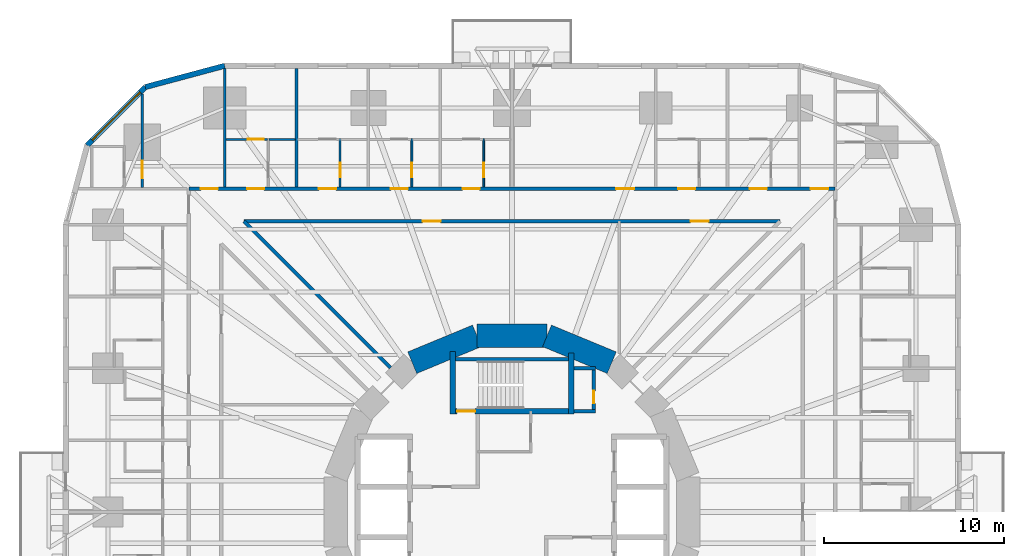
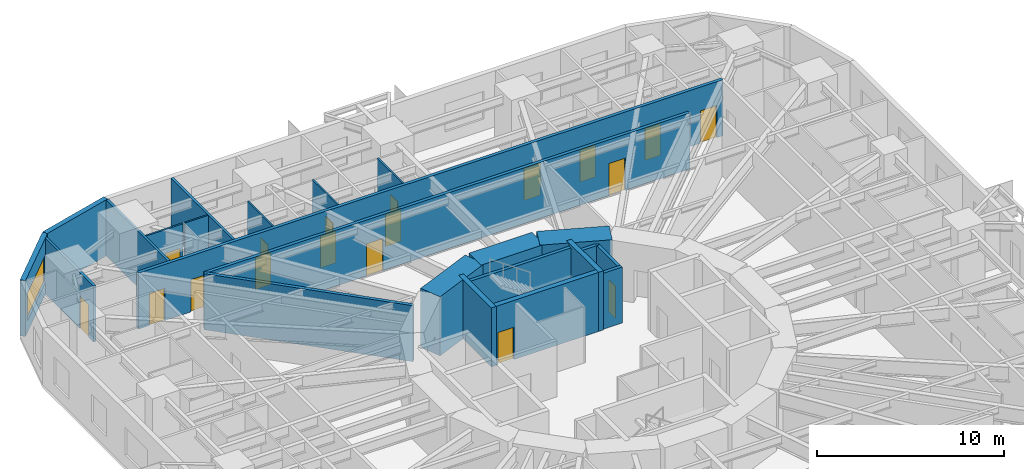
# One storey, part 10 of 14: 23 walls, 18 doors, 1 window, 19 openings.
"""IFC4 building model written with IfcOpenShell, lengths in metres."""

from ifc_helpers import new_model, si_unit, direction, frame, frame_2d, origin, place, context, subcontext, project, spatial, rectangle, extrude, material, layer, layer_set, type_object, element, fill, save


model = new_model("IFC4")

# Units and contexts
model_context = context("Model", 3, precision=1e-05, world=origin(), true_north=direction((0.0, 1.0)))
body_context = subcontext(model_context, "Body", "Model", "MODEL_VIEW")
ifc_project = project(units=[si_unit("LENGTHUNIT", "METRE"), si_unit("AREAUNIT", "SQUARE_METRE"), si_unit("VOLUMEUNIT", "CUBIC_METRE"), si_unit("PLANEANGLEUNIT", "RADIAN"), si_unit("MASSUNIT", "GRAM", prefix="KILO")], contexts=[model_context])

# Site, building, storey
site_placement = place(None, origin())
site = spatial("IfcSite", under=ifc_project, at=site_placement, CompositionType="ELEMENT")
building_placement = place(site_placement, origin())
building = spatial("IfcBuilding", under=site, at=building_placement, Name="Nakasero Lantern House", CompositionType="ELEMENT")
storey_placement = place(building_placement, frame((0.0, 0.0, 27.550048828125)))
storey = spatial("IfcBuildingStorey", under=building, at=storey_placement, Name="L06", CompositionType="ELEMENT", Elevation=27.550048828125)

# Wall, opening, door
ifc_material_1 = material(Name="Concrete C50/60", Category="concrete")
ifc_layer_1 = layer(ifc_material_1, 0.300048828125)
ifc_layer_set_1 = layer_set([ifc_layer_1], Name="Core inner wall 300")
wall_type_1 = type_object("IfcWallType", Name="Core inner wall 300", PredefinedType="SHEAR", material=ifc_layer_set_1)
wall_1_placement = place(storey_placement, frame((-3.449951171875, 5.60009765625, 0.0), z_axis=(0.0, 0.0, 1.0), x_axis=(1.0, 0.0, 0.0)))
wall_1 = element("IfcWall", 1, at=wall_1_placement, inside=storey, type_object=wall_type_1, Name="Core inner wall L06 SN", PredefinedType="SHEAR", context=body_context, shape_type="SweptSolid", body=[
    extrude(rectangle(XDim=6.89990234375, YDim=0.300048828125, at=frame_2d((3.449951171875, 0.0))), origin(), (0.0, 0.0, 1.0), 3.849853515625),
])
opening_1_placement = place(wall_1_placement, frame((0.39990234375, 0.0, 0.0)))
opening_1 = element("IfcOpeningElement", 2, at=opening_1_placement, cuts=wall_1, Name="Opening D05", PredefinedType="OPENING", context=body_context, shape_type="SweptSolid", body=[
    extrude(rectangle(XDim=1.0, YDim=2.10009765625, at=frame_2d((0.5, 1.050048828125))), frame((0.0, 0.169921875, 0.0), z_axis=(0.0, -1.0, 0.0), x_axis=(1.0, 0.0, 0.0)), (0.0, 0.0, 1.0), 0.340087890625),
])
ifc_material_2 = material(Name="Timber C24", Category="wood")
door_type_1 = type_object("IfcDoorType", Name="Core door FD60S 1000", OperationType="SINGLE_SWING_LEFT", PredefinedType="DOOR", material=ifc_material_2)
door_1_placement = place(opening_1_placement, origin())
door_1 = element("IfcDoor", 3, at=door_1_placement, inside=storey, type_object=door_type_1, Name="Door L06 D-ST1", OperationType="SINGLE_SWING_LEFT", OverallHeight=2.10009765625, OverallWidth=1.0, PredefinedType="DOOR", context=body_context, shape_type="SweptSolid", body=[
    extrude(rectangle(XDim=1.0, YDim=2.10009765625, at=frame_2d((0.5, 1.050048828125))), frame((0.0, 0.02490234375, 0.0), z_axis=(0.0, -1.0, 0.0), x_axis=(1.0, 0.0, 0.0)), (0.0, 0.0, 1.0), 0.050048828125),
])
fill(opening_1, door_1)

# Walls
wall_2_placement = place(storey_placement, frame((-3.300048828125, 5.449951171875, 0.0), z_axis=(0.0, 0.0, 1.0), x_axis=(0.0, 1.0, 0.0)))
element("IfcWall", 4, at=wall_2_placement, inside=storey, type_object=wall_type_1, Name="Core inner wall L06 SNW", PredefinedType="SHEAR", context=body_context, shape_type="SweptSolid", body=[
    extrude(rectangle(XDim=3.5, YDim=0.300048828125, at=frame_2d((1.75, 0.0))), origin(), (0.0, 0.0, 1.0), 3.849853515625),
])
wall_3_placement = place(storey_placement, frame((3.300048828125, 5.449951171875, 0.0), z_axis=(0.0, 0.0, 1.0), x_axis=(0.0, 1.0, 0.0)))
element("IfcWall", 5, at=wall_3_placement, inside=storey, type_object=wall_type_1, Name="Core inner wall L06 SNE", PredefinedType="SHEAR", context=body_context, shape_type="SweptSolid", body=[
    extrude(rectangle(XDim=3.400146484375, YDim=0.300048828125, at=frame_2d((1.7001953125, 0.0))), origin(), (0.0, 0.0, 1.0), 3.849853515625),
])
ifc_material_3 = material(Name="Concrete C50/60", Category="concrete")
ifc_layer_2 = layer(ifc_material_3, 1.300048828125)
ifc_layer_set_2 = layer_set([ifc_layer_2], Name="Core wall 1300")
wall_type_2 = type_object("IfcWallType", Name="Core wall 1300", PredefinedType="SHEAR", material=ifc_layer_set_2)
for number, where, z_axis, x_axis, name in (
    (6, (5.5556640625, 8.314697265625, 0.0), (0.0, 0.0, 1.0), (-0.923876507187, 0.382690736062, 0.0), "Core wall L06 facet 3"),
    (7, (1.950927734375, 9.807861328125, 0.0), (0.0, 0.0, 1.0), (-1.0, 0.0, 0.0), "Core wall L06 facet 4"),
    (8, (-1.950927734375, 9.807861328125, 0.0), (0.0, 0.0, 1.0), (-0.923876507187, -0.382690736062, 0.0), "Core wall L06 facet 5"),
):
    element("IfcWall", number, at=place(storey_placement, frame(where, z_axis=z_axis, x_axis=x_axis)), inside=storey, type_object=wall_type_2, Name=name, PredefinedType="SHEAR", context=body_context, shape_type="SweptSolid", body=[
        extrude(rectangle(XDim=3.90185546875, YDim=1.300048828125, at=frame_2d((1.950927734375, 0.0))), origin(), (0.0, 0.0, 1.0), 3.849853515625),
    ])

# Wall, openings, doors
ifc_material_4 = material(Name="Blockwork", Category="masonry")
ifc_layer_3 = layer(ifc_material_4, 0.199951171875)
ifc_layer_set_3 = layer_set([ifc_layer_3], Name="Corridor wall 200")
wall_type_3 = type_object("IfcWallType", Name="Corridor wall 200", PredefinedType="PARTITIONING", material=ifc_layer_set_3)
wall_4_placement = place(storey_placement, frame((18.0, 18.0, 0.0), z_axis=(0.0, 0.0, 1.0), x_axis=(-1.0, 0.0, 0.0)))
wall_4 = element("IfcWall", 9, at=wall_4_placement, inside=storey, type_object=wall_type_3, Name="Corridor wall L06 CW1", PredefinedType="PARTITIONING", context=body_context, shape_type="SweptSolid", body=[
    extrude(rectangle(XDim=36.0, YDim=0.199951171875, at=frame_2d((18.0, 0.0))), origin(), (0.0, 0.0, 1.0), 3.64990234375),
])
opening_2_placement = place(wall_4_placement, frame((0.375, 0.0, 0.0)))
opening_2 = element("IfcOpeningElement", 10, at=opening_2_placement, cuts=wall_4, Name="Opening D07", PredefinedType="OPENING", context=body_context, shape_type="SweptSolid", body=[
    extrude(rectangle(XDim=1.0, YDim=2.10009765625, at=frame_2d((0.5, 1.050048828125))), frame((0.0, 0.119873046875, 0.0), z_axis=(0.0, -1.0, 0.0), x_axis=(1.0, 0.0, 0.0)), (0.0, 0.0, 1.0), 0.239990234375),
])
opening_3_placement = place(wall_4_placement, frame((3.800048828125, 0.0, 0.0)))
opening_3 = element("IfcOpeningElement", 11, at=opening_3_placement, cuts=wall_4, Name="Opening D01", PredefinedType="OPENING", context=body_context, shape_type="SweptSolid", body=[
    extrude(rectangle(XDim=0.949951171875, YDim=2.10009765625, at=frame_2d((0.47509765625, 1.050048828125))), frame((0.0, 0.119873046875, 0.0), z_axis=(0.0, -1.0, 0.0), x_axis=(1.0, 0.0, 0.0)), (0.0, 0.0, 1.0), 0.239990234375),
])
opening_4_placement = place(wall_4_placement, frame((7.800048828125, 0.0, 0.0)))
opening_4 = element("IfcOpeningElement", 12, at=opening_4_placement, cuts=wall_4, Name="Opening D01", PredefinedType="OPENING", context=body_context, shape_type="SweptSolid", body=[
    extrude(rectangle(XDim=0.949951171875, YDim=2.10009765625, at=frame_2d((0.47509765625, 1.050048828125))), frame((0.0, 0.119873046875, 0.0), z_axis=(0.0, -1.0, 0.0), x_axis=(1.0, 0.0, 0.0)), (0.0, 0.0, 1.0), 0.239990234375),
])
opening_5_placement = place(wall_4_placement, frame((19.800048828125, 0.0, 0.0)))
opening_5 = element("IfcOpeningElement", 13, at=opening_5_placement, cuts=wall_4, Name="Opening D01", PredefinedType="OPENING", context=body_context, shape_type="SweptSolid", body=[
    extrude(rectangle(XDim=0.949951171875, YDim=2.10009765625, at=frame_2d((0.47509765625, 1.050048828125))), frame((0.0, 0.119873046875, 0.0), z_axis=(0.0, -1.0, 0.0), x_axis=(1.0, 0.0, 0.0)), (0.0, 0.0, 1.0), 0.239990234375),
])
opening_6_placement = place(wall_4_placement, frame((23.800048828125, 0.0, 0.0)))
opening_6 = element("IfcOpeningElement", 14, at=opening_6_placement, cuts=wall_4, Name="Opening D01", PredefinedType="OPENING", context=body_context, shape_type="SweptSolid", body=[
    extrude(rectangle(XDim=0.949951171875, YDim=2.10009765625, at=frame_2d((0.47509765625, 1.050048828125))), frame((0.0, 0.119873046875, 0.0), z_axis=(0.0, -1.0, 0.0), x_axis=(1.0, 0.0, 0.0)), (0.0, 0.0, 1.0), 0.239990234375),
])
opening_7_placement = place(wall_4_placement, frame((27.800048828125, 0.0, 0.0)))
opening_7 = element("IfcOpeningElement", 15, at=opening_7_placement, cuts=wall_4, Name="Opening D01", PredefinedType="OPENING", context=body_context, shape_type="SweptSolid", body=[
    extrude(rectangle(XDim=0.949951171875, YDim=2.10009765625, at=frame_2d((0.47509765625, 1.050048828125))), frame((0.0, 0.119873046875, 0.0), z_axis=(0.0, -1.0, 0.0), x_axis=(1.0, 0.0, 0.0)), (0.0, 0.0, 1.0), 0.239990234375),
])
opening_8_placement = place(wall_4_placement, frame((31.800048828125, 0.0, 0.0)))
opening_8 = element("IfcOpeningElement", 16, at=opening_8_placement, cuts=wall_4, Name="Opening D01", PredefinedType="OPENING", context=body_context, shape_type="SweptSolid", body=[
    extrude(rectangle(XDim=0.949951171875, YDim=2.10009765625, at=frame_2d((0.47509765625, 1.050048828125))), frame((0.0, 0.119873046875, 0.0), z_axis=(0.0, -1.0, 0.0), x_axis=(1.0, 0.0, 0.0)), (0.0, 0.0, 1.0), 0.239990234375),
])
opening_9_placement = place(wall_4_placement, frame((34.375, 0.0, 0.0)))
opening_9 = element("IfcOpeningElement", 17, at=opening_9_placement, cuts=wall_4, Name="Opening D01", PredefinedType="OPENING", context=body_context, shape_type="SweptSolid", body=[
    extrude(rectangle(XDim=0.949951171875, YDim=2.10009765625, at=frame_2d((0.47509765625, 1.050048828125))), frame((0.0, 0.119873046875, 0.0), z_axis=(0.0, -1.0, 0.0), x_axis=(1.0, 0.0, 0.0)), (0.0, 0.0, 1.0), 0.239990234375),
])
opening_10_placement = place(wall_4_placement, frame((11.199951171875, 0.0, 0.0)))
opening_10 = element("IfcOpeningElement", 18, at=opening_10_placement, cuts=wall_4, Name="Opening D03", PredefinedType="OPENING", context=body_context, shape_type="SweptSolid", body=[
    extrude(rectangle(XDim=1.0, YDim=2.10009765625, at=frame_2d((0.5, 1.050048828125))), frame((0.0, 0.119873046875, 0.0), z_axis=(0.0, -1.0, 0.0), x_axis=(1.0, 0.0, 0.0)), (0.0, 0.0, 1.0), 0.239990234375),
])
ifc_material_5 = material(Name="Timber C24", Category="wood")
door_type_2 = type_object("IfcDoorType", Name="Bedroom door FD30S 950", OperationType="SINGLE_SWING_LEFT", PredefinedType="DOOR", material=ifc_material_5)
door_2_placement = place(opening_3_placement, origin())
door_2 = element("IfcDoor", 19, at=door_2_placement, inside=storey, type_object=door_type_2, Name="Door L06 D1-01", OperationType="SINGLE_SWING_LEFT", OverallHeight=2.10009765625, OverallWidth=0.949951171875, PredefinedType="DOOR", context=body_context, shape_type="SweptSolid", body=[
    extrude(rectangle(XDim=0.949951171875, YDim=2.10009765625, at=frame_2d((0.47509765625, 1.050048828125))), frame((0.0, 0.02490234375, 0.0), z_axis=(0.0, -1.0, 0.0), x_axis=(1.0, 0.0, 0.0)), (0.0, 0.0, 1.0), 0.050048828125),
])
fill(opening_3, door_2)
door_3_placement = place(opening_4_placement, origin())
door_3 = element("IfcDoor", 20, at=door_3_placement, inside=storey, type_object=door_type_2, Name="Door L06 D1-02", OperationType="SINGLE_SWING_LEFT", OverallHeight=2.10009765625, OverallWidth=0.949951171875, PredefinedType="DOOR", context=body_context, shape_type="SweptSolid", body=[
    extrude(rectangle(XDim=0.949951171875, YDim=2.10009765625, at=frame_2d((0.47509765625, 1.050048828125))), frame((0.0, 0.02490234375, 0.0), z_axis=(0.0, -1.0, 0.0), x_axis=(1.0, 0.0, 0.0)), (0.0, 0.0, 1.0), 0.050048828125),
])
fill(opening_4, door_3)
door_4_placement = place(opening_5_placement, origin())
door_4 = element("IfcDoor", 21, at=door_4_placement, inside=storey, type_object=door_type_2, Name="Door L06 D1-05", OperationType="SINGLE_SWING_RIGHT", OverallHeight=2.10009765625, OverallWidth=0.949951171875, PredefinedType="DOOR", context=body_context, shape_type="SweptSolid", body=[
    extrude(rectangle(XDim=0.949951171875, YDim=2.10009765625, at=frame_2d((0.47509765625, 1.050048828125))), frame((0.0, 0.02490234375, 0.0), z_axis=(0.0, -1.0, 0.0), x_axis=(1.0, 0.0, 0.0)), (0.0, 0.0, 1.0), 0.050048828125),
])
fill(opening_5, door_4)
door_5_placement = place(opening_6_placement, origin())
door_5 = element("IfcDoor", 22, at=door_5_placement, inside=storey, type_object=door_type_2, Name="Door L06 D1-06", OperationType="SINGLE_SWING_RIGHT", OverallHeight=2.10009765625, OverallWidth=0.949951171875, PredefinedType="DOOR", context=body_context, shape_type="SweptSolid", body=[
    extrude(rectangle(XDim=0.949951171875, YDim=2.10009765625, at=frame_2d((0.47509765625, 1.050048828125))), frame((0.0, 0.02490234375, 0.0), z_axis=(0.0, -1.0, 0.0), x_axis=(1.0, 0.0, 0.0)), (0.0, 0.0, 1.0), 0.050048828125),
])
fill(opening_6, door_5)
door_6_placement = place(opening_7_placement, origin())
door_6 = element("IfcDoor", 23, at=door_6_placement, inside=storey, type_object=door_type_2, Name="Door L06 D1-07", OperationType="SINGLE_SWING_RIGHT", OverallHeight=2.10009765625, OverallWidth=0.949951171875, PredefinedType="DOOR", context=body_context, shape_type="SweptSolid", body=[
    extrude(rectangle(XDim=0.949951171875, YDim=2.10009765625, at=frame_2d((0.47509765625, 1.050048828125))), frame((0.0, 0.02490234375, 0.0), z_axis=(0.0, -1.0, 0.0), x_axis=(1.0, 0.0, 0.0)), (0.0, 0.0, 1.0), 0.050048828125),
])
fill(opening_7, door_6)
door_7_placement = place(opening_8_placement, origin())
door_7 = element("IfcDoor", 24, at=door_7_placement, inside=storey, type_object=door_type_2, Name="Door L06 D1-08", OperationType="SINGLE_SWING_RIGHT", OverallHeight=2.10009765625, OverallWidth=0.949951171875, PredefinedType="DOOR", context=body_context, shape_type="SweptSolid", body=[
    extrude(rectangle(XDim=0.949951171875, YDim=2.10009765625, at=frame_2d((0.47509765625, 1.050048828125))), frame((0.0, 0.02490234375, 0.0), z_axis=(0.0, -1.0, 0.0), x_axis=(1.0, 0.0, 0.0)), (0.0, 0.0, 1.0), 0.050048828125),
])
fill(opening_8, door_7)
door_8_placement = place(opening_9_placement, origin())
door_8 = element("IfcDoor", 25, at=door_8_placement, inside=storey, type_object=door_type_2, Name="Door L06 D1-09", OperationType="SINGLE_SWING_RIGHT", OverallHeight=2.10009765625, OverallWidth=0.949951171875, PredefinedType="DOOR", context=body_context, shape_type="SweptSolid", body=[
    extrude(rectangle(XDim=0.949951171875, YDim=2.10009765625, at=frame_2d((0.47509765625, 1.050048828125))), frame((0.0, 0.02490234375, 0.0), z_axis=(0.0, -1.0, 0.0), x_axis=(1.0, 0.0, 0.0)), (0.0, 0.0, 1.0), 0.050048828125),
])
fill(opening_9, door_8)
ifc_material_6 = material(Name="Timber C24", Category="wood")
door_type_3 = type_object("IfcDoorType", Name="Lounge door FD30S 1000", OperationType="SINGLE_SWING_LEFT", PredefinedType="DOOR", material=ifc_material_6)
door_9_placement = place(opening_10_placement, origin())
door_9 = element("IfcDoor", 26, at=door_9_placement, inside=storey, type_object=door_type_3, Name="Door L06 DK1", OperationType="SINGLE_SWING_LEFT", OverallHeight=2.10009765625, OverallWidth=1.0, PredefinedType="DOOR", context=body_context, shape_type="SweptSolid", body=[
    extrude(rectangle(XDim=1.0, YDim=2.10009765625, at=frame_2d((0.5, 1.050048828125))), frame((0.0, 0.02490234375, 0.0), z_axis=(0.0, -1.0, 0.0), x_axis=(1.0, 0.0, 0.0)), (0.0, 0.0, 1.0), 0.050048828125),
])
fill(opening_10, door_9)
ifc_material_7 = material(Name="Timber C24", Category="wood")
door_type_4 = type_object("IfcDoorType", Name="Room door FD30S 1000", OperationType="SINGLE_SWING_LEFT", PredefinedType="DOOR", material=ifc_material_7)
door_10_placement = place(opening_2_placement, origin())
door_10 = element("IfcDoor", 27, at=door_10_placement, inside=storey, type_object=door_type_4, Name="Door L06 D1-00", OperationType="SINGLE_SWING_LEFT", OverallHeight=2.10009765625, OverallWidth=1.0, PredefinedType="DOOR", context=body_context, shape_type="SweptSolid", body=[
    extrude(rectangle(XDim=1.0, YDim=2.10009765625, at=frame_2d((0.5, 1.050048828125))), frame((0.0, 0.02490234375, 0.0), z_axis=(0.0, -1.0, 0.0), x_axis=(1.0, 0.0, 0.0)), (0.0, 0.0, 1.0), 0.050048828125),
])
fill(opening_2, door_10)

wall_5_placement = place(storey_placement, frame((14.92724609375, 16.199951171875, 0.0), z_axis=(0.0, 0.0, 1.0), x_axis=(-1.0, 0.0, 0.0)))
wall_5 = element("IfcWall", 28, at=wall_5_placement, inside=storey, type_object=wall_type_3, Name="Corridor wall L06 IW1-0", PredefinedType="PARTITIONING", context=body_context, shape_type="SweptSolid", body=[
    extrude(rectangle(XDim=29.8544921875, YDim=0.199951171875, at=frame_2d((14.92724609375, 0.0))), origin(), (0.0, 0.0, 1.0), 3.64990234375),
])
opening_11_placement = place(wall_5_placement, frame((3.978271484375, 0.0, 0.0)))
opening_11 = element("IfcOpeningElement", 29, at=opening_11_placement, cuts=wall_5, Name="Opening D07", PredefinedType="OPENING", context=body_context, shape_type="SweptSolid", body=[
    extrude(rectangle(XDim=1.0, YDim=2.10009765625, at=frame_2d((0.5, 1.050048828125))), frame((0.0, 0.119873046875, 0.0), z_axis=(0.0, -1.0, 0.0), x_axis=(1.0, 0.0, 0.0)), (0.0, 0.0, 1.0), 0.239990234375),
])
opening_12_placement = place(wall_5_placement, frame((18.9052734375, 0.0, 0.0)))
opening_12 = element("IfcOpeningElement", 30, at=opening_12_placement, cuts=wall_5, Name="Opening D07", PredefinedType="OPENING", context=body_context, shape_type="SweptSolid", body=[
    extrude(rectangle(XDim=1.0, YDim=2.10009765625, at=frame_2d((0.5, 1.050048828125))), frame((0.0, 0.119873046875, 0.0), z_axis=(0.0, -1.0, 0.0), x_axis=(1.0, 0.0, 0.0)), (0.0, 0.0, 1.0), 0.239990234375),
])
door_11_placement = place(opening_11_placement, origin())
door_11 = element("IfcDoor", 31, at=door_11_placement, inside=storey, type_object=door_type_4, Name="Door L06 DI2", OperationType="SINGLE_SWING_LEFT", OverallHeight=2.10009765625, OverallWidth=1.0, PredefinedType="DOOR", context=body_context, shape_type="SweptSolid", body=[
    extrude(rectangle(XDim=1.0, YDim=2.10009765625, at=frame_2d((0.5, 1.050048828125))), frame((0.0, 0.02490234375, 0.0), z_axis=(0.0, -1.0, 0.0), x_axis=(1.0, 0.0, 0.0)), (0.0, 0.0, 1.0), 0.050048828125),
])
fill(opening_11, door_11)
door_12_placement = place(opening_12_placement, origin())
door_12 = element("IfcDoor", 32, at=door_12_placement, inside=storey, type_object=door_type_4, Name="Door L06 DI2S", OperationType="SINGLE_SWING_RIGHT", OverallHeight=2.10009765625, OverallWidth=1.0, PredefinedType="DOOR", context=body_context, shape_type="SweptSolid", body=[
    extrude(rectangle(XDim=1.0, YDim=2.10009765625, at=frame_2d((0.5, 1.050048828125))), frame((0.0, 0.02490234375, 0.0), z_axis=(0.0, -1.0, 0.0), x_axis=(1.0, 0.0, 0.0)), (0.0, 0.0, 1.0), 0.050048828125),
])
fill(opening_12, door_12)

# Wall
wall_6_placement = place(storey_placement, frame((-6.758544921875, 8.03125, 0.0), z_axis=(0.0, 0.0, 1.0), x_axis=(-0.707106781187, 0.707106781187, 0.0)))
element("IfcWall", 33, at=wall_6_placement, inside=storey, type_object=wall_type_3, Name="Corridor wall L06 PS06b", PredefinedType="PARTITIONING", context=body_context, shape_type="SweptSolid", body=[
    extrude(rectangle(XDim=11.55224609375, YDim=0.199951171875, at=frame_2d((5.776123046875, 0.0))), origin(), (0.0, 0.0, 1.0), 3.64990234375),
])

# Wall, opening, door
ifc_material_8 = material(Name="Blockwork", Category="masonry")
ifc_layer_4 = layer(ifc_material_8, 0.10009765625)
ifc_layer_set_4 = layer_set([ifc_layer_4], Name="En-suite wall 100")
wall_type_4 = type_object("IfcWallType", Name="En-suite wall 100", PredefinedType="PARTITIONING", material=ifc_layer_set_4)
wall_7_placement = place(storey_placement, frame((-1.574951171875, 18.10009765625, 0.0), z_axis=(0.0, 0.0, 1.0), x_axis=(0.0, 1.0, 0.0)))
wall_7 = element("IfcWall", 34, at=wall_7_placement, inside=storey, type_object=wall_type_4, Name="En-suite wall L06 ES1-05", PredefinedType="PARTITIONING", context=body_context, shape_type="SweptSolid", body=[
    extrude(rectangle(XDim=2.699951171875, YDim=0.10009765625, at=frame_2d((1.35009765625, 0.0))), origin(), (0.0, 0.0, 1.0), 3.64990234375),
])
opening_13_placement = place(wall_7_placement, frame((0.550048828125, 0.0, 0.0)))
opening_13 = element("IfcOpeningElement", 35, at=opening_13_placement, cuts=wall_7, Name="Opening D02", PredefinedType="OPENING", context=body_context, shape_type="SweptSolid", body=[
    extrude(rectangle(XDim=0.800048828125, YDim=2.10009765625, at=frame_2d((0.39990234375, 1.050048828125))), frame((0.0, 0.070068359375, 0.0), z_axis=(0.0, -1.0, 0.0), x_axis=(1.0, 0.0, 0.0)), (0.0, 0.0, 1.0), 0.14013671875),
])
ifc_material_9 = material(Name="Timber C24", Category="wood")
door_type_5 = type_object("IfcDoorType", Name="En-suite door 800", OperationType="SINGLE_SWING_RIGHT", PredefinedType="DOOR", material=ifc_material_9)
door_13_placement = place(opening_13_placement, origin())
door_13 = element("IfcDoor", 36, at=door_13_placement, inside=storey, type_object=door_type_5, Name="Door L06 DE1-05", OperationType="SINGLE_SWING_LEFT", OverallHeight=2.10009765625, OverallWidth=0.800048828125, PredefinedType="DOOR", context=body_context, shape_type="SweptSolid", body=[
    extrude(rectangle(XDim=0.800048828125, YDim=2.10009765625, at=frame_2d((0.39990234375, 1.050048828125))), frame((0.0, 0.02490234375, 0.0), z_axis=(0.0, -1.0, 0.0), x_axis=(1.0, 0.0, 0.0)), (0.0, 0.0, 1.0), 0.050048828125),
])
fill(opening_13, door_13)

wall_8_placement = place(storey_placement, frame((-5.574951171875, 18.10009765625, 0.0), z_axis=(0.0, 0.0, 1.0), x_axis=(0.0, 1.0, 0.0)))
wall_8 = element("IfcWall", 37, at=wall_8_placement, inside=storey, type_object=wall_type_4, Name="En-suite wall L06 ES1-06", PredefinedType="PARTITIONING", context=body_context, shape_type="SweptSolid", body=[
    extrude(rectangle(XDim=2.699951171875, YDim=0.10009765625, at=frame_2d((1.35009765625, 0.0))), origin(), (0.0, 0.0, 1.0), 3.64990234375),
])
opening_14_placement = place(wall_8_placement, frame((0.550048828125, 0.0, 0.0)))
opening_14 = element("IfcOpeningElement", 38, at=opening_14_placement, cuts=wall_8, Name="Opening D02", PredefinedType="OPENING", context=body_context, shape_type="SweptSolid", body=[
    extrude(rectangle(XDim=0.800048828125, YDim=2.10009765625, at=frame_2d((0.39990234375, 1.050048828125))), frame((0.0, 0.070068359375, 0.0), z_axis=(0.0, -1.0, 0.0), x_axis=(1.0, 0.0, 0.0)), (0.0, 0.0, 1.0), 0.14013671875),
])
door_14_placement = place(opening_14_placement, origin())
door_14 = element("IfcDoor", 39, at=door_14_placement, inside=storey, type_object=door_type_5, Name="Door L06 DE1-06", OperationType="SINGLE_SWING_LEFT", OverallHeight=2.10009765625, OverallWidth=0.800048828125, PredefinedType="DOOR", context=body_context, shape_type="SweptSolid", body=[
    extrude(rectangle(XDim=0.800048828125, YDim=2.10009765625, at=frame_2d((0.39990234375, 1.050048828125))), frame((0.0, 0.02490234375, 0.0), z_axis=(0.0, -1.0, 0.0), x_axis=(1.0, 0.0, 0.0)), (0.0, 0.0, 1.0), 0.050048828125),
])
fill(opening_14, door_14)

wall_9_placement = place(storey_placement, frame((-9.574951171875, 18.10009765625, 0.0), z_axis=(0.0, 0.0, 1.0), x_axis=(0.0, 1.0, 0.0)))
wall_9 = element("IfcWall", 40, at=wall_9_placement, inside=storey, type_object=wall_type_4, Name="En-suite wall L06 ES1-07", PredefinedType="PARTITIONING", context=body_context, shape_type="SweptSolid", body=[
    extrude(rectangle(XDim=2.699951171875, YDim=0.10009765625, at=frame_2d((1.35009765625, 0.0))), origin(), (0.0, 0.0, 1.0), 3.64990234375),
])
opening_15_placement = place(wall_9_placement, frame((0.550048828125, 0.0, 0.0)))
opening_15 = element("IfcOpeningElement", 41, at=opening_15_placement, cuts=wall_9, Name="Opening D02", PredefinedType="OPENING", context=body_context, shape_type="SweptSolid", body=[
    extrude(rectangle(XDim=0.800048828125, YDim=2.10009765625, at=frame_2d((0.39990234375, 1.050048828125))), frame((0.0, 0.070068359375, 0.0), z_axis=(0.0, -1.0, 0.0), x_axis=(1.0, 0.0, 0.0)), (0.0, 0.0, 1.0), 0.14013671875),
])
door_15_placement = place(opening_15_placement, origin())
door_15 = element("IfcDoor", 42, at=door_15_placement, inside=storey, type_object=door_type_5, Name="Door L06 DE1-07", OperationType="SINGLE_SWING_LEFT", OverallHeight=2.10009765625, OverallWidth=0.800048828125, PredefinedType="DOOR", context=body_context, shape_type="SweptSolid", body=[
    extrude(rectangle(XDim=0.800048828125, YDim=2.10009765625, at=frame_2d((0.39990234375, 1.050048828125))), frame((0.0, 0.02490234375, 0.0), z_axis=(0.0, -1.0, 0.0), x_axis=(1.0, 0.0, 0.0)), (0.0, 0.0, 1.0), 0.050048828125),
])
fill(opening_15, door_15)

# Wall
wall_10_placement = place(storey_placement, frame((-12.074951171875, 20.75, 0.0), z_axis=(0.0, 0.0, 1.0), x_axis=(-1.0, 0.0, 0.0)))
element("IfcWall", 43, at=wall_10_placement, inside=storey, type_object=wall_type_4, Name="En-suite wall L06 EE1-08", PredefinedType="PARTITIONING", context=body_context, shape_type="SweptSolid", body=[
    extrude(rectangle(XDim=1.449951171875, YDim=0.10009765625, at=frame_2d((0.72509765625, 0.0))), origin(), (0.0, 0.0, 1.0), 3.64990234375),
])

# Wall, opening, door
wall_11_placement = place(storey_placement, frame((-13.625, 20.75, 0.0), z_axis=(0.0, 0.0, 1.0), x_axis=(-1.0, 0.0, 0.0)))
wall_11 = element("IfcWall", 44, at=wall_11_placement, inside=storey, type_object=wall_type_4, Name="En-suite wall L06 EL1-08", PredefinedType="PARTITIONING", context=body_context, shape_type="SweptSolid", body=[
    extrude(rectangle(XDim=2.300048828125, YDim=0.10009765625, at=frame_2d((1.14990234375, 0.0))), origin(), (0.0, 0.0, 1.0), 3.64990234375),
])
opening_16_placement = place(wall_11_placement, frame((0.199951171875, 0.0, 0.0)))
opening_16 = element("IfcOpeningElement", 45, at=opening_16_placement, cuts=wall_11, Name="Opening D17", PredefinedType="OPENING", context=body_context, shape_type="SweptSolid", body=[
    extrude(rectangle(XDim=0.89990234375, YDim=2.10009765625, at=frame_2d((0.449951171875, 1.050048828125))), frame((0.0, 0.070068359375, 0.0), z_axis=(0.0, -1.0, 0.0), x_axis=(1.0, 0.0, 0.0)), (0.0, 0.0, 1.0), 0.14013671875),
])
ifc_material_10 = material(Name="Timber C24", Category="wood")
door_type_6 = type_object("IfcDoorType", Name="Bedroom door FD30S 900", OperationType="SINGLE_SWING_LEFT", PredefinedType="DOOR", material=ifc_material_10)
door_16_placement = place(opening_16_placement, origin())
door_16 = element("IfcDoor", 46, at=door_16_placement, inside=storey, type_object=door_type_6, Name="Door L06 DL1-08", OperationType="SINGLE_SWING_LEFT", OverallHeight=2.10009765625, OverallWidth=0.89990234375, PredefinedType="DOOR", context=body_context, shape_type="SweptSolid", body=[
    extrude(rectangle(XDim=0.89990234375, YDim=2.10009765625, at=frame_2d((0.449951171875, 1.050048828125))), frame((0.0, 0.02490234375, 0.0), z_axis=(0.0, -1.0, 0.0), x_axis=(1.0, 0.0, 0.0)), (0.0, 0.0, 1.0), 0.050048828125),
])
fill(opening_16, door_16)

# Wall
ifc_material_11 = material(Name="Aluminium rainscreen on blockwork", Category="masonry")
ifc_layer_5 = layer(ifc_material_11, 0.300048828125)
ifc_layer_set_5 = layer_set([ifc_layer_5], Name="Facade wall 300")
wall_type_5 = type_object("IfcWallType", Name="Facade wall 300", PredefinedType="SOLIDWALL", material=ifc_layer_set_5)
wall_12_placement = place(storey_placement, frame((-16.0, 24.85009765625, 0.0), z_axis=(0.0, 0.0, 1.0), x_axis=(-0.965920218567, -0.258839972501, 0.0)))
element("IfcWall", 47, at=wall_12_placement, inside=storey, type_object=wall_type_5, Name="Facade wall L06 FW1C1", PredefinedType="SOLIDWALL", context=body_context, shape_type="SweptSolid", body=[
    extrude(rectangle(XDim=4.5810546875, YDim=0.300048828125, at=frame_2d((2.29052734375, 0.0))), origin(), (0.0, 0.0, 1.0), 3.64990234375),
])

# Wall, opening, window
wall_13_placement = place(storey_placement, frame((-20.425048828125, 23.664306640625, 0.0), z_axis=(0.0, 0.0, 1.0), x_axis=(-0.707106781187, -0.707106781187, 0.0)))
wall_13 = element("IfcWall", 48, at=wall_13_placement, inside=storey, type_object=wall_type_5, Name="Facade wall L06 FW1C2", PredefinedType="SOLIDWALL", context=body_context, shape_type="SweptSolid", body=[
    extrude(rectangle(XDim=4.5810546875, YDim=0.300048828125, at=frame_2d((2.29052734375, 0.0))), origin(), (0.0, 0.0, 1.0), 3.64990234375),
])
opening_17_placement = place(wall_13_placement, frame((0.39990234375, 0.0, 0.75)))
opening_17 = element("IfcOpeningElement", 49, at=opening_17_placement, cuts=wall_13, Name="Opening W237", PredefinedType="OPENING", context=body_context, shape_type="SweptSolid", body=[
    extrude(rectangle(XDim=3.781005859375, YDim=1.800048828125, at=frame_2d((1.890625, 0.89990234375))), frame((0.0, 0.169921875, 0.0), z_axis=(0.0, -1.0, 0.0), x_axis=(1.0, 0.0, 0.0)), (0.0, 0.0, 1.0), 0.340087890625),
])
ifc_material_12 = material(Name="Aluminium 6063-T6 and glass", Category="aluminium")
window_type = type_object("IfcWindowType", Name="Corner window 3781x1800", PartitioningType="SINGLE_PANEL", PredefinedType="WINDOW", material=ifc_material_12)
window_placement = place(opening_17_placement, origin())
window = element("IfcWindow", 50, at=window_placement, inside=storey, type_object=window_type, Name="Window L06 WC1", OverallHeight=1.800048828125, OverallWidth=3.781005859375, PartitioningType="SINGLE_PANEL", PredefinedType="WINDOW", context=body_context, shape_type="SweptSolid", body=[
    extrude(rectangle(XDim=3.781005859375, YDim=1.800048828125, at=frame_2d((1.890625, 0.89990234375))), frame((0.0, 0.030029296875, 0.0), z_axis=(0.0, -1.0, 0.0), x_axis=(1.0, 0.0, 0.0)), (0.0, 0.0, 1.0), 0.06005859375),
])
fill(opening_17, window)

# Wall, opening, door
ifc_material_13 = material(Name="Blockwork", Category="masonry")
ifc_layer_6 = layer(ifc_material_13, 0.199951171875)
ifc_layer_set_6 = layer_set([ifc_layer_6], Name="Fire lobby wall 200")
wall_type_6 = type_object("IfcWallType", Name="Fire lobby wall 200", PredefinedType="PARTITIONING", material=ifc_layer_set_6)
wall_14_placement = place(storey_placement, frame((4.550048828125, 5.60009765625, 0.0), z_axis=(0.0, 0.0, 1.0), x_axis=(0.0, 1.0, 0.0)))
wall_14 = element("IfcWall", 51, at=wall_14_placement, inside=storey, type_object=wall_type_6, Name="Fire lobby wall L06 W-RS1E", PredefinedType="PARTITIONING", context=body_context, shape_type="SweptSolid", body=[
    extrude(rectangle(XDim=2.39990234375, YDim=0.199951171875, at=frame_2d((1.199951171875, 0.0))), origin(), (0.0, 0.0, 1.0), 3.64990234375),
])
opening_18_placement = place(wall_14_placement, frame((0.449951171875, 0.0, 0.0)))
opening_18 = element("IfcOpeningElement", 52, at=opening_18_placement, cuts=wall_14, Name="Opening D06", PredefinedType="OPENING", context=body_context, shape_type="SweptSolid", body=[
    extrude(rectangle(XDim=0.699951171875, YDim=2.10009765625, at=frame_2d((0.35009765625, 1.050048828125))), frame((0.0, 0.119873046875, 0.0), z_axis=(0.0, -1.0, 0.0), x_axis=(1.0, 0.0, 0.0)), (0.0, 0.0, 1.0), 0.239990234375),
])
ifc_material_14 = material(Name="Steel S355", Category="steel")
door_type_7 = type_object("IfcDoorType", Name="Riser door FD60 700", OperationType="SINGLE_SWING_LEFT", PredefinedType="DOOR", material=ifc_material_14)
door_17_placement = place(opening_18_placement, origin())
door_17 = element("IfcDoor", 53, at=door_17_placement, inside=storey, type_object=door_type_7, Name="Door L06 D-RS1", OperationType="SINGLE_SWING_LEFT", OverallHeight=2.10009765625, OverallWidth=0.699951171875, PredefinedType="DOOR", context=body_context, shape_type="SweptSolid", body=[
    extrude(rectangle(XDim=0.699951171875, YDim=2.10009765625, at=frame_2d((0.35009765625, 1.050048828125))), frame((0.0, 0.02490234375, 0.0), z_axis=(0.0, -1.0, 0.0), x_axis=(1.0, 0.0, 0.0)), (0.0, 0.0, 1.0), 0.050048828125),
])
fill(opening_18, door_17)

# Walls
for number, where, z_axis, x_axis, name in (
    (54, (3.449951171875, 8.0, 0.0), (0.0, 0.0, 1.0), (1.0, 0.0, 0.0), "Fire lobby wall L06 W-RS1N"),
    (55, (3.449951171875, 5.60009765625, 0.0), (0.0, 0.0, 1.0), (1.0, 0.0, 0.0), "Fire lobby wall L06 W-RS1S"),
):
    element("IfcWall", number, at=place(storey_placement, frame(where, z_axis=z_axis, x_axis=x_axis)), inside=storey, type_object=wall_type_6, Name=name, PredefinedType="PARTITIONING", context=body_context, shape_type="SweptSolid", body=[
        extrude(rectangle(XDim=1.199951171875, YDim=0.199951171875, at=frame_2d((0.60009765625, 0.0))), origin(), (0.0, 0.0, 1.0), 3.64990234375),
    ])
wall_15_placement = place(storey_placement, frame((-3.300048828125, 8.5, 0.0), z_axis=(0.0, 0.0, 1.0), x_axis=(1.0, 0.0, 0.0)))
element("IfcWall", 56, at=wall_15_placement, inside=storey, type_object=wall_type_6, Name="Fire lobby wall L06 W-STN", PredefinedType="PARTITIONING", context=body_context, shape_type="SweptSolid", body=[
    extrude(rectangle(XDim=6.60009765625, YDim=0.199951171875, at=frame_2d((3.300048828125, 0.0))), origin(), (0.0, 0.0, 1.0), 3.64990234375),
])
ifc_material_15 = material(Name="Blockwork", Category="masonry")
ifc_layer_7 = layer(ifc_material_15, 0.14990234375)
ifc_layer_set_7 = layer_set([ifc_layer_7], Name="Party wall 150")
wall_type_7 = type_object("IfcWallType", Name="Party wall 150", PredefinedType="PARTITIONING", material=ifc_layer_set_7)
wall_16_placement = place(storey_placement, frame((-12.0, 18.10009765625, 0.0), z_axis=(0.0, 0.0, 1.0), x_axis=(0.0, 1.0, 0.0)))
element("IfcWall", 57, at=wall_16_placement, inside=storey, type_object=wall_type_7, Name="Party wall L06 PW1-08", PredefinedType="PARTITIONING", context=body_context, shape_type="SweptSolid", body=[
    extrude(rectangle(XDim=6.599853515625, YDim=0.14990234375, at=frame_2d((3.2998046875, 0.0))), origin(), (0.0, 0.0, 1.0), 3.64990234375),
])
wall_17_placement = place(storey_placement, frame((-16.0, 18.10009765625, 0.0), z_axis=(0.0, 0.0, 1.0), x_axis=(0.0, 1.0, 0.0)))
element("IfcWall", 58, at=wall_17_placement, inside=storey, type_object=wall_type_7, Name="Party wall L06 PW1-09", PredefinedType="PARTITIONING", context=body_context, shape_type="SweptSolid", body=[
    extrude(rectangle(XDim=6.58935546875, YDim=0.14990234375, at=frame_2d((3.294677734375, 0.0))), origin(), (0.0, 0.0, 1.0), 3.64990234375),
])

# Wall, opening, door
wall_18_placement = place(storey_placement, frame((-20.59619140625, 18.06494140625, 0.0), z_axis=(0.0, 0.0, 1.0), x_axis=(0.0, 1.0, 0.0)))
wall_18 = element("IfcWall", 59, at=wall_18_placement, inside=storey, type_object=wall_type_7, Name="Party wall L06 PC1", PredefinedType="PARTITIONING", context=body_context, shape_type="SweptSolid", body=[
    extrude(rectangle(XDim=5.208740234375, YDim=0.14990234375, at=frame_2d((2.6044921875, 0.0))), origin(), (0.0, 0.0, 1.0), 3.64990234375),
])
opening_19_placement = place(wall_18_placement, frame((0.534912109375, 0.0, 0.0)))
opening_19 = element("IfcOpeningElement", 60, at=opening_19_placement, cuts=wall_18, Name="Opening D01", PredefinedType="OPENING", context=body_context, shape_type="SweptSolid", body=[
    extrude(rectangle(XDim=0.949951171875, YDim=2.10009765625, at=frame_2d((0.47509765625, 1.050048828125))), frame((0.0, 0.094970703125, 0.0), z_axis=(0.0, -1.0, 0.0), x_axis=(1.0, 0.0, 0.0)), (0.0, 0.0, 1.0), 0.18994140625),
])
door_18_placement = place(opening_19_placement, origin())
door_18 = element("IfcDoor", 61, at=door_18_placement, inside=storey, type_object=door_type_2, Name="Door L06 DC1", OperationType="SINGLE_SWING_LEFT", OverallHeight=2.10009765625, OverallWidth=0.949951171875, PredefinedType="DOOR", context=body_context, shape_type="SweptSolid", body=[
    extrude(rectangle(XDim=0.949951171875, YDim=2.10009765625, at=frame_2d((0.47509765625, 1.050048828125))), frame((0.0, 0.02490234375, 0.0), z_axis=(0.0, -1.0, 0.0), x_axis=(1.0, 0.0, 0.0)), (0.0, 0.0, 1.0), 0.050048828125),
])
fill(opening_19, door_18)

save(model, "model.ifc")
